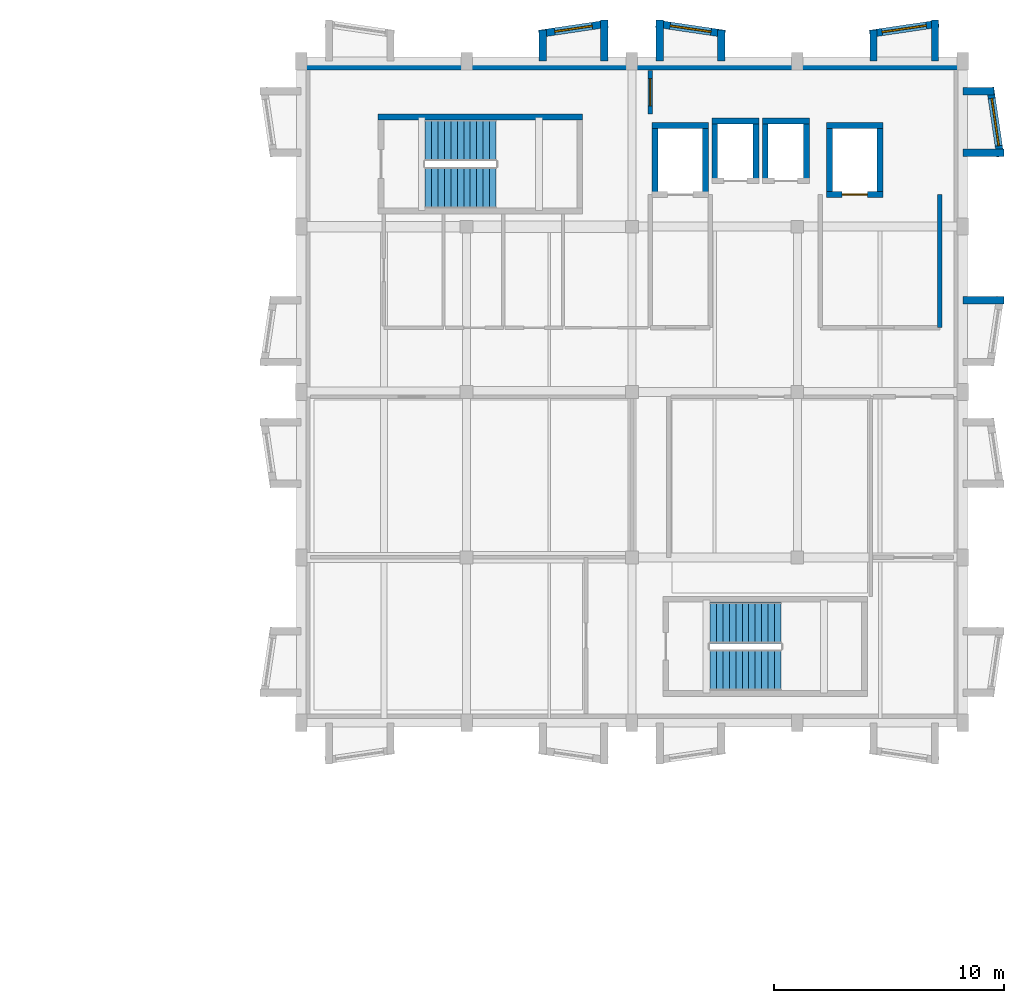
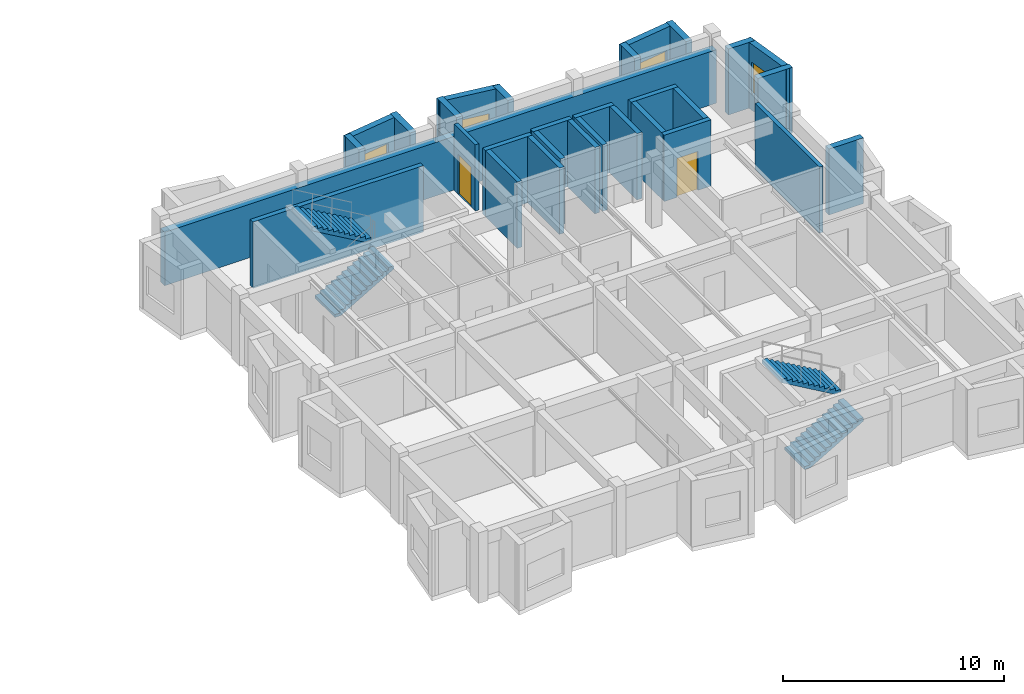
# One storey, part 8 of 12: 30 walls, 4 stair flights, 4 windows, 2 doors, 6 openings, 2 elements without a shape of their own.
"""IFC4 building model written with IfcOpenShell, lengths in metres."""

from ifc_helpers import new_model, si_unit, direction, frame, frame_2d, origin, place, context, subcontext, project, spatial, polyline, rectangle, outline, extrude, material, layer, layer_set, type_object, element, fill, aggregate, save


model = new_model("IFC4")

# Units and contexts
model_context = context("Model", 3, precision=1e-05, world=origin(), true_north=direction((0.0, 1.0)))
body_context = subcontext(model_context, "Body", "Model", "MODEL_VIEW")
ifc_project = project(units=[si_unit("LENGTHUNIT", "METRE"), si_unit("AREAUNIT", "SQUARE_METRE"), si_unit("VOLUMEUNIT", "CUBIC_METRE"), si_unit("PLANEANGLEUNIT", "RADIAN"), si_unit("MASSUNIT", "GRAM", prefix="KILO")], contexts=[model_context])

# Site, building, storey
site_placement = place(None, origin())
site = spatial("IfcSite", under=ifc_project, at=site_placement, CompositionType="ELEMENT")
building_placement = place(site_placement, origin())
building = spatial("IfcBuilding", under=site, at=building_placement, Name="Bramveld Media Centre", CompositionType="ELEMENT")
storey_placement = place(building_placement, frame((0.0, 0.0, 21.89990234375)))
storey = spatial("IfcBuildingStorey", under=building, at=storey_placement, Name="L05", CompositionType="ELEMENT", Elevation=21.89990234375)

# Walls
ifc_material_1 = material(Name="Concrete C40/50 stair & lift core wall", Category="concrete")
ifc_layer_1 = layer(ifc_material_1, 0.25)
ifc_layer_set_1 = layer_set([ifc_layer_1], Name="Concrete C40/50 stair & lift core wall")
wall_type_1 = type_object("IfcWallType", Name="CWALL-SHEAR-250", PredefinedType="SHEAR", material=ifc_layer_set_1)
wall_1_placement = place(storey_placement, frame((143.449951171875, 109.574951171875, 0.0), z_axis=(0.0, 0.0, 1.0), x_axis=(-1.0, 0.0, 0.0)))
element("IfcWall", 1, at=wall_1_placement, inside=storey, type_object=wall_type_1, Name="ST-01 L05 stair core shear wall N", PredefinedType="SHEAR", context=body_context, shape_type="SweptSolid", body=[
    extrude(rectangle(XDim=8.89990234375, YDim=0.25, at=frame_2d((4.449951171875, 0.0))), origin(), (0.0, 0.0, 1.0), 3.66015625),
])
wall_2_placement = place(storey_placement, frame((148.925048828125, 109.199951171875, 0.0), z_axis=(0.0, 0.0, 1.0), x_axis=(-1.0, 0.0, 0.0)))
element("IfcWall", 2, at=wall_2_placement, inside=storey, type_object=wall_type_1, Name="FL-01 L05 lift shaft wall N", PredefinedType="SHEAR", context=body_context, shape_type="SweptSolid", body=[
    extrude(rectangle(XDim=2.449951171875, YDim=0.25, at=frame_2d((1.22509765625, 0.0))), origin(), (0.0, 0.0, 1.0), 3.66015625),
])
for number, where, z_axis, x_axis, name in (
    (3, (146.60009765625, 109.199951171875, 0.0), (0.0, 0.0, 1.0), (0.0, -1.0, 0.0), "FL-01 L05 lift shaft wall W"),
    (4, (148.800048828125, 106.199951171875, 0.0), (0.0, 0.0, 1.0), (0.0, 1.0, 0.0), "FL-01 L05 lift shaft wall E"),
):
    element("IfcWall", number, at=place(storey_placement, frame(where, z_axis=z_axis, x_axis=x_axis)), inside=storey, type_object=wall_type_1, Name=name, PredefinedType="SHEAR", context=body_context, shape_type="SweptSolid", body=[
        extrude(rectangle(XDim=3.0, YDim=0.25, at=frame_2d((1.5, 0.0))), origin(), (0.0, 0.0, 1.0), 3.66015625),
    ])

# Wall, opening, door
wall_3_placement = place(storey_placement, frame((154.074951171875, 106.199951171875, 0.0), z_axis=(0.0, 0.0, 1.0), x_axis=(1.0, 0.0, 0.0)))
wall_3 = element("IfcWall", 5, at=wall_3_placement, inside=storey, type_object=wall_type_1, Name="FL-02 L05 lift shaft wall S", PredefinedType="SHEAR", context=body_context, shape_type="SweptSolid", body=[
    extrude(rectangle(XDim=2.449951171875, YDim=0.25, at=frame_2d((1.22509765625, 0.0))), origin(), (0.0, 0.0, 1.0), 3.66015625),
])
opening_1_placement = place(wall_3_placement, frame((0.675048828125, 0.0, 0.0)))
opening_1 = element("IfcOpeningElement", 6, at=opening_1_placement, cuts=wall_3, Name="Opening LD-01-02-L05", PredefinedType="OPENING", context=body_context, shape_type="SweptSolid", body=[
    extrude(rectangle(XDim=1.10009765625, YDim=2.14990234375, at=frame_2d((0.550048828125, 1.074951171875))), frame((0.0, 0.136962890625, 0.0), z_axis=(0.0, -1.0, 0.0), x_axis=(1.0, 0.0, 0.0)), (0.0, 0.0, 1.0), 0.27392578125),
])
ifc_material_2 = material(Name="Brushed stainless steel automatic fire-rated sliding lift landing door", Category="steel")
door_type_1 = type_object("IfcDoorType", Name="LD-TYPE-01", OperationType="SLIDING_TO_LEFT", PredefinedType="DOOR", material=ifc_material_2)
door_1_placement = place(opening_1_placement, origin())
door_1 = element("IfcDoor", 7, at=door_1_placement, inside=storey, type_object=door_type_1, Name="FL-02 L05 sliding lift landing door", OperationType="SLIDING_TO_LEFT", OverallHeight=2.14990234375, OverallWidth=1.10009765625, PredefinedType="DOOR", context=body_context, shape_type="SweptSolid", body=[
    extrude(rectangle(XDim=1.10009765625, YDim=2.14990234375, at=frame_2d((0.550048828125, 1.074951171875))), frame((0.0, 0.02490234375, 0.0), z_axis=(0.0, -1.0, 0.0), x_axis=(1.0, 0.0, 0.0)), (0.0, 0.0, 1.0), 0.050048828125),
])
fill(opening_1, door_1)

# Walls
wall_4_placement = place(storey_placement, frame((156.52490234375, 109.199951171875, 0.0), z_axis=(0.0, 0.0, 1.0), x_axis=(-1.0, 0.0, 0.0)))
element("IfcWall", 8, at=wall_4_placement, inside=storey, type_object=wall_type_1, Name="FL-02 L05 lift shaft wall N", PredefinedType="SHEAR", context=body_context, shape_type="SweptSolid", body=[
    extrude(rectangle(XDim=2.449951171875, YDim=0.25, at=frame_2d((1.22509765625, 0.0))), origin(), (0.0, 0.0, 1.0), 3.66015625),
])
for number, where, z_axis, x_axis, name in (
    (9, (154.199951171875, 109.199951171875, 0.0), (0.0, 0.0, 1.0), (0.0, -1.0, 0.0), "FL-02 L05 lift shaft wall W"),
    (10, (156.39990234375, 106.199951171875, 0.0), (0.0, 0.0, 1.0), (0.0, 1.0, 0.0), "FL-02 L05 lift shaft wall E"),
):
    element("IfcWall", number, at=place(storey_placement, frame(where, z_axis=z_axis, x_axis=x_axis)), inside=storey, type_object=wall_type_1, Name=name, PredefinedType="SHEAR", context=body_context, shape_type="SweptSolid", body=[
        extrude(rectangle(XDim=3.0, YDim=0.25, at=frame_2d((1.5, 0.0))), origin(), (0.0, 0.0, 1.0), 3.66015625),
    ])
wall_5_placement = place(storey_placement, frame((151.125, 109.39990234375, 0.0), z_axis=(0.0, 0.0, 1.0), x_axis=(-1.0, 0.0, 0.0)))
element("IfcWall", 11, at=wall_5_placement, inside=storey, type_object=wall_type_1, Name="PL-01 L05 lift shaft wall N", PredefinedType="SHEAR", context=body_context, shape_type="SweptSolid", body=[
    extrude(rectangle(XDim=2.050048828125, YDim=0.25, at=frame_2d((1.02490234375, 0.0))), origin(), (0.0, 0.0, 1.0), 3.66015625),
])
for number, where, z_axis, x_axis, name in (
    (12, (149.199951171875, 109.39990234375, 0.0), (0.0, 0.0, 1.0), (0.0, -1.0, 0.0), "PL-01 L05 lift shaft wall W"),
    (13, (151.0, 106.800048828125, 0.0), (0.0, 0.0, 1.0), (0.0, 1.0, 0.0), "PL-01 L05 lift shaft wall E"),
):
    element("IfcWall", number, at=place(storey_placement, frame(where, z_axis=z_axis, x_axis=x_axis)), inside=storey, type_object=wall_type_1, Name=name, PredefinedType="SHEAR", context=body_context, shape_type="SweptSolid", body=[
        extrude(rectangle(XDim=2.599853515625, YDim=0.25, at=frame_2d((1.2998046875, 0.0))), origin(), (0.0, 0.0, 1.0), 3.66015625),
    ])
wall_6_placement = place(storey_placement, frame((153.324951171875, 109.39990234375, 0.0), z_axis=(0.0, 0.0, 1.0), x_axis=(-1.0, 0.0, 0.0)))
element("IfcWall", 14, at=wall_6_placement, inside=storey, type_object=wall_type_1, Name="PL-02 L05 lift shaft wall N", PredefinedType="SHEAR", context=body_context, shape_type="SweptSolid", body=[
    extrude(rectangle(XDim=2.050048828125, YDim=0.25, at=frame_2d((1.02490234375, 0.0))), origin(), (0.0, 0.0, 1.0), 3.66015625),
])
for number, where, z_axis, x_axis, name in (
    (15, (151.39990234375, 109.39990234375, 0.0), (0.0, 0.0, 1.0), (0.0, -1.0, 0.0), "PL-02 L05 lift shaft wall W"),
    (16, (153.199951171875, 106.800048828125, 0.0), (0.0, 0.0, 1.0), (0.0, 1.0, 0.0), "PL-02 L05 lift shaft wall E"),
):
    element("IfcWall", number, at=place(storey_placement, frame(where, z_axis=z_axis, x_axis=x_axis)), inside=storey, type_object=wall_type_1, Name=name, PredefinedType="SHEAR", context=body_context, shape_type="SweptSolid", body=[
        extrude(rectangle(XDim=2.599853515625, YDim=0.25, at=frame_2d((1.2998046875, 0.0))), origin(), (0.0, 0.0, 1.0), 3.66015625),
    ])
ifc_material_3 = material(Name="Flemish red-brown clay facing brick cavity wall with calcium-silicate backing", Category="masonry")
ifc_layer_2 = layer(ifc_material_3, 0.3798828125)
ifc_layer_set_2 = layer_set([ifc_layer_2], Name="Flemish red-brown clay facing brick cavity wall with calcium-silicate backing")
wall_type_2 = type_object("IfcWallType", Name="EW-BRK-380", PredefinedType="SOLIDWALL", material=ifc_layer_set_2)
wall_7_placement = place(storey_placement, frame((131.199951171875, 111.81005859375, 0.0), z_axis=(0.0, 0.0, 1.0), x_axis=(1.0, 0.0, 0.0)))
element("IfcWall", 17, at=wall_7_placement, inside=storey, type_object=wall_type_2, Name="V7 L05 N facing brick exterior wall", PredefinedType="SOLIDWALL", context=body_context, shape_type="SweptSolid", body=[
    extrude(rectangle(XDim=28.800048828125, YDim=0.3798828125, at=frame_2d((14.39990234375, 0.0))), origin(), (0.0, 0.0, 1.0), 2.955078125),
])
ifc_material_4 = material(Name="Precast concrete C40/50 & brick-slip faceted bay cheek wall", Category="masonry")
ifc_layer_3 = layer(ifc_material_4, 0.320068359375)
ifc_layer_set_3 = layer_set([ifc_layer_3], Name="Precast concrete C40/50 & brick-slip faceted bay cheek wall")
wall_type_3 = type_object("IfcWallType", Name="EW-FACET-320", PredefinedType="SOLIDWALL", material=ifc_layer_set_3)
wall_8_placement = place(storey_placement, frame((160.0, 101.590087890625, 0.0), z_axis=(0.0, 0.0, 1.0), x_axis=(1.0, 0.0, 0.0)))
element("IfcWall", 18, at=wall_8_placement, inside=storey, type_object=wall_type_3, Name="V7 L05 E faceted bay cheek wall", PredefinedType="SOLIDWALL", context=body_context, shape_type="SweptSolid", body=[
    extrude(rectangle(XDim=1.79296875, YDim=0.320068359375, at=frame_2d((0.896484375, 0.0))), origin(), (0.0, 0.0, 1.0), 3.64013671875),
])

# Wall, opening, window
wall_9_placement = place(storey_placement, frame((161.633056640625, 107.85009765625, 0.0), z_axis=(0.0, 0.0, 1.0), x_axis=(-0.146119746268, 0.989266910268, 0.0)))
wall_9 = element("IfcWall", 19, at=wall_9_placement, inside=storey, type_object=wall_type_3, Name="V7 L05 E angled faceted bay front wall 4", PredefinedType="SOLIDWALL", context=body_context, shape_type="SweptSolid", body=[
    extrude(rectangle(XDim=3.032470703125, YDim=0.320068359375, at=frame_2d((1.51611328125, 0.0))), origin(), (0.0, 0.0, 1.0), 3.64013671875),
])
opening_2_placement = place(wall_9_placement, frame((0.476318359375, 0.0, 0.89990234375)))
opening_2 = element("IfcOpeningElement", 20, at=opening_2_placement, cuts=wall_9, Name="Opening W-35", PredefinedType="OPENING", context=body_context, shape_type="SweptSolid", body=[
    extrude(rectangle(XDim=2.080078125, YDim=1.75, at=frame_2d((1.0400390625, 0.875))), frame((0.0, 0.171875, 0.0), z_axis=(0.0, -1.0, 0.0), x_axis=(1.0, 0.0, 0.0)), (0.0, 0.0, 1.0), 0.343994140625),
])
ifc_material_5 = material(Name="Thermally broken anodized bronze aluminium frame with triple acoustic glazing", Category="aluminium")
window_type_1 = type_object("IfcWindowType", Name="WIN-FAC-35", PartitioningType="SINGLE_PANEL", PredefinedType="WINDOW", material=ifc_material_5)
window_1_placement = place(opening_2_placement, origin())
window_1 = element("IfcWindow", 21, at=window_1_placement, inside=storey, type_object=window_type_1, Name="V7 L05 E faceted bay window 4", OverallHeight=1.75, OverallWidth=2.080078125, PartitioningType="SINGLE_PANEL", PredefinedType="WINDOW", context=body_context, shape_type="SweptSolid", body=[
    extrude(rectangle(XDim=2.080078125, YDim=1.75, at=frame_2d((1.0400390625, 0.875))), frame((0.0, 0.030029296875, 0.0), z_axis=(0.0, -1.0, 0.0), x_axis=(1.0, 0.0, 0.0)), (0.0, 0.0, 1.0), 0.06005859375),
])
fill(opening_2, window_1)

# Walls
wall_10_placement = place(storey_placement, frame((160.0, 108.010009765625, 0.0), z_axis=(0.0, 0.0, 1.0), x_axis=(1.0, 0.0, 0.0)))
element("IfcWall", 22, at=wall_10_placement, inside=storey, type_object=wall_type_3, Name="V7 L05 E faceted bay cheek wall", PredefinedType="SOLIDWALL", context=body_context, shape_type="SweptSolid", body=[
    extrude(rectangle(XDim=1.79296875, YDim=0.320068359375, at=frame_2d((0.896484375, 0.0))), origin(), (0.0, 0.0, 1.0), 3.64013671875),
])
wall_11_placement = place(storey_placement, frame((160.0, 110.68994140625, 0.0), z_axis=(0.0, 0.0, 1.0), x_axis=(1.0, 0.0, 0.0)))
element("IfcWall", 23, at=wall_11_placement, inside=storey, type_object=wall_type_3, Name="V7 L05 E faceted bay cheek wall", PredefinedType="SOLIDWALL", context=body_context, shape_type="SweptSolid", body=[
    extrude(rectangle(XDim=1.35009765625, YDim=0.320068359375, at=frame_2d((0.675048828125, 0.0))), origin(), (0.0, 0.0, 1.0), 3.64013671875),
])

# Wall, opening, window
wall_12_placement = place(storey_placement, frame((144.550048828125, 113.633056640625, 0.0), z_axis=(0.0, 0.0, 1.0), x_axis=(-0.989266910268, -0.146119746268, 0.0)))
wall_12 = element("IfcWall", 24, at=wall_12_placement, inside=storey, type_object=wall_type_3, Name="V7 L05 N angled faceted bay front wall 2", PredefinedType="SOLIDWALL", context=body_context, shape_type="SweptSolid", body=[
    extrude(rectangle(XDim=3.032470703125, YDim=0.320068359375, at=frame_2d((1.51611328125, 0.0))), origin(), (0.0, 0.0, 1.0), 3.64013671875),
])
opening_3_placement = place(wall_12_placement, frame((0.69140625, 0.0, 0.89990234375)))
opening_3 = element("IfcOpeningElement", 25, at=opening_3_placement, cuts=wall_12, Name="Opening W-25", PredefinedType="OPENING", context=body_context, shape_type="SweptSolid", body=[
    extrude(rectangle(XDim=1.64990234375, YDim=1.449951171875, at=frame_2d((0.824951171875, 0.72509765625))), frame((0.0, 0.171875, 0.0), z_axis=(0.0, -1.0, 0.0), x_axis=(1.0, 0.0, 0.0)), (0.0, 0.0, 1.0), 0.343994140625),
])
ifc_material_6 = material(Name="Thermally broken anodized bronze aluminium frame with triple acoustic glazing", Category="aluminium")
window_type_2 = type_object("IfcWindowType", Name="WIN-FAC-25", PartitioningType="SINGLE_PANEL", PredefinedType="WINDOW", material=ifc_material_6)
window_2_placement = place(opening_3_placement, origin())
window_2 = element("IfcWindow", 26, at=window_2_placement, inside=storey, type_object=window_type_2, Name="V7 L05 N faceted bay window 2", OverallHeight=1.449951171875, OverallWidth=1.64990234375, PartitioningType="SINGLE_PANEL", PredefinedType="WINDOW", context=body_context, shape_type="SweptSolid", body=[
    extrude(rectangle(XDim=1.64990234375, YDim=1.449951171875, at=frame_2d((0.824951171875, 0.72509765625))), frame((0.0, 0.030029296875, 0.0), z_axis=(0.0, -1.0, 0.0), x_axis=(1.0, 0.0, 0.0)), (0.0, 0.0, 1.0), 0.06005859375),
])
fill(opening_3, window_2)

# Walls
wall_13_placement = place(storey_placement, frame((141.7099609375, 112.0, 0.0), z_axis=(0.0, 0.0, 1.0), x_axis=(0.0, 1.0, 0.0)))
element("IfcWall", 27, at=wall_13_placement, inside=storey, type_object=wall_type_3, Name="V7 L05 N faceted bay cheek wall", PredefinedType="SOLIDWALL", context=body_context, shape_type="SweptSolid", body=[
    extrude(rectangle(XDim=1.35009765625, YDim=0.320068359375, at=frame_2d((0.675048828125, 0.0))), origin(), (0.0, 0.0, 1.0), 3.64013671875),
])
wall_14_placement = place(storey_placement, frame((144.389892578125, 112.0, 0.0), z_axis=(0.0, 0.0, 1.0), x_axis=(0.0, 1.0, 0.0)))
element("IfcWall", 28, at=wall_14_placement, inside=storey, type_object=wall_type_3, Name="V7 L05 N faceted bay cheek wall", PredefinedType="SOLIDWALL", context=body_context, shape_type="SweptSolid", body=[
    extrude(rectangle(XDim=1.79296875, YDim=0.320068359375, at=frame_2d((0.896484375, 0.0))), origin(), (0.0, 0.0, 1.0), 3.64013671875),
])

# Wall, opening, window
wall_15_placement = place(storey_placement, frame((149.64990234375, 113.18994140625, 0.0), z_axis=(0.0, 0.0, 1.0), x_axis=(-0.989266910268, 0.146119746268, 0.0)))
wall_15 = element("IfcWall", 29, at=wall_15_placement, inside=storey, type_object=wall_type_3, Name="V7 L05 N angled faceted bay front wall 3", PredefinedType="SOLIDWALL", context=body_context, shape_type="SweptSolid", body=[
    extrude(rectangle(XDim=3.032470703125, YDim=0.320068359375, at=frame_2d((1.51611328125, 0.0))), origin(), (0.0, 0.0, 1.0), 3.64013671875),
])
opening_4_placement = place(wall_15_placement, frame((0.6162109375, 0.0, 0.89990234375)))
opening_4 = element("IfcOpeningElement", 30, at=opening_4_placement, cuts=wall_15, Name="Opening W-26", PredefinedType="OPENING", context=body_context, shape_type="SweptSolid", body=[
    extrude(rectangle(XDim=1.800048828125, YDim=1.449951171875, at=frame_2d((0.89990234375, 0.72509765625))), frame((0.0, 0.171875, 0.0), z_axis=(0.0, -1.0, 0.0), x_axis=(1.0, 0.0, 0.0)), (0.0, 0.0, 1.0), 0.343994140625),
])
ifc_material_7 = material(Name="Thermally broken anodized bronze aluminium frame with triple acoustic glazing", Category="aluminium")
window_type_3 = type_object("IfcWindowType", Name="WIN-FAC-26", PartitioningType="SINGLE_PANEL", PredefinedType="WINDOW", material=ifc_material_7)
window_3_placement = place(opening_4_placement, origin())
window_3 = element("IfcWindow", 31, at=window_3_placement, inside=storey, type_object=window_type_3, Name="V7 L05 N faceted bay window 3", OverallHeight=1.449951171875, OverallWidth=1.800048828125, PartitioningType="SINGLE_PANEL", PredefinedType="WINDOW", context=body_context, shape_type="SweptSolid", body=[
    extrude(rectangle(XDim=1.800048828125, YDim=1.449951171875, at=frame_2d((0.89990234375, 0.72509765625))), frame((0.0, 0.030029296875, 0.0), z_axis=(0.0, -1.0, 0.0), x_axis=(1.0, 0.0, 0.0)), (0.0, 0.0, 1.0), 0.06005859375),
])
fill(opening_4, window_3)

# Walls
wall_16_placement = place(storey_placement, frame((146.81005859375, 112.0, 0.0), z_axis=(0.0, 0.0, 1.0), x_axis=(0.0, 1.0, 0.0)))
element("IfcWall", 32, at=wall_16_placement, inside=storey, type_object=wall_type_3, Name="V7 L05 N faceted bay cheek wall", PredefinedType="SOLIDWALL", context=body_context, shape_type="SweptSolid", body=[
    extrude(rectangle(XDim=1.79296875, YDim=0.320068359375, at=frame_2d((0.896484375, 0.0))), origin(), (0.0, 0.0, 1.0), 3.64013671875),
])
wall_17_placement = place(storey_placement, frame((149.489990234375, 112.0, 0.0), z_axis=(0.0, 0.0, 1.0), x_axis=(0.0, 1.0, 0.0)))
element("IfcWall", 33, at=wall_17_placement, inside=storey, type_object=wall_type_3, Name="V7 L05 N faceted bay cheek wall", PredefinedType="SOLIDWALL", context=body_context, shape_type="SweptSolid", body=[
    extrude(rectangle(XDim=1.35009765625, YDim=0.320068359375, at=frame_2d((0.675048828125, 0.0))), origin(), (0.0, 0.0, 1.0), 3.64013671875),
])

# Wall, opening, window
wall_18_placement = place(storey_placement, frame((158.949951171875, 113.633056640625, 0.0), z_axis=(0.0, 0.0, 1.0), x_axis=(-0.989266910268, -0.146119746268, 0.0)))
wall_18 = element("IfcWall", 34, at=wall_18_placement, inside=storey, type_object=wall_type_3, Name="V7 L05 N angled faceted bay front wall 4", PredefinedType="SOLIDWALL", context=body_context, shape_type="SweptSolid", body=[
    extrude(rectangle(XDim=3.032470703125, YDim=0.320068359375, at=frame_2d((1.51611328125, 0.0))), origin(), (0.0, 0.0, 1.0), 3.64013671875),
])
opening_5_placement = place(wall_18_placement, frame((0.541259765625, 0.0, 0.89990234375)))
opening_5 = element("IfcOpeningElement", 35, at=opening_5_placement, cuts=wall_18, Name="Opening W-27", PredefinedType="OPENING", context=body_context, shape_type="SweptSolid", body=[
    extrude(rectangle(XDim=1.949951171875, YDim=1.449951171875, at=frame_2d((0.97509765625, 0.72509765625))), frame((0.0, 0.171875, 0.0), z_axis=(0.0, -1.0, 0.0), x_axis=(1.0, 0.0, 0.0)), (0.0, 0.0, 1.0), 0.343994140625),
])
ifc_material_8 = material(Name="Thermally broken anodized bronze aluminium frame with triple acoustic glazing", Category="aluminium")
window_type_4 = type_object("IfcWindowType", Name="WIN-FAC-27", PartitioningType="SINGLE_PANEL", PredefinedType="WINDOW", material=ifc_material_8)
window_4_placement = place(opening_5_placement, origin())
window_4 = element("IfcWindow", 36, at=window_4_placement, inside=storey, type_object=window_type_4, Name="V7 L05 N faceted bay window 4", OverallHeight=1.449951171875, OverallWidth=1.949951171875, PartitioningType="SINGLE_PANEL", PredefinedType="WINDOW", context=body_context, shape_type="SweptSolid", body=[
    extrude(rectangle(XDim=1.949951171875, YDim=1.449951171875, at=frame_2d((0.97509765625, 0.72509765625))), frame((0.0, 0.030029296875, 0.0), z_axis=(0.0, -1.0, 0.0), x_axis=(1.0, 0.0, 0.0)), (0.0, 0.0, 1.0), 0.06005859375),
])
fill(opening_5, window_4)

# Walls
wall_19_placement = place(storey_placement, frame((156.110107421875, 112.0, 0.0), z_axis=(0.0, 0.0, 1.0), x_axis=(0.0, 1.0, 0.0)))
element("IfcWall", 37, at=wall_19_placement, inside=storey, type_object=wall_type_3, Name="V7 L05 N faceted bay cheek wall", PredefinedType="SOLIDWALL", context=body_context, shape_type="SweptSolid", body=[
    extrude(rectangle(XDim=1.35009765625, YDim=0.320068359375, at=frame_2d((0.675048828125, 0.0))), origin(), (0.0, 0.0, 1.0), 3.64013671875),
])
wall_20_placement = place(storey_placement, frame((158.7900390625, 112.0, 0.0), z_axis=(0.0, 0.0, 1.0), x_axis=(0.0, 1.0, 0.0)))
element("IfcWall", 38, at=wall_20_placement, inside=storey, type_object=wall_type_3, Name="V7 L05 N faceted bay cheek wall", PredefinedType="SOLIDWALL", context=body_context, shape_type="SweptSolid", body=[
    extrude(rectangle(XDim=1.79296875, YDim=0.320068359375, at=frame_2d((0.896484375, 0.0))), origin(), (0.0, 0.0, 1.0), 3.64013671875),
])
ifc_material_9 = material(Name="Acoustic calcium-silicate & mineral-wool compartment partition", Category="masonry")
ifc_layer_4 = layer(ifc_material_9, 0.199951171875)
ifc_layer_set_4 = layer_set([ifc_layer_4], Name="Acoustic calcium-silicate & mineral-wool compartment partition")
wall_type_4 = type_object("IfcWallType", Name="IW-ACOU-200", PredefinedType="PARTITIONING", material=ifc_layer_set_4)
wall_21_placement = place(storey_placement, frame((159.0, 100.39990234375, 0.0), z_axis=(0.0, 0.0, 1.0), x_axis=(0.0, 1.0, 0.0)))
element("IfcWall", 39, at=wall_21_placement, inside=storey, type_object=wall_type_4, Name="FL-02 L05 EI 120 firefighting lift lobby wall E", PredefinedType="PARTITIONING", context=body_context, shape_type="SweptSolid", body=[
    extrude(rectangle(XDim=5.800048828125, YDim=0.199951171875, at=frame_2d((2.89990234375, 0.0))), origin(), (0.0, 0.0, 1.0), 3.66015625),
])

# Wall, opening, door
wall_22_placement = place(storey_placement, frame((146.39990234375, 109.699951171875, 0.0), z_axis=(0.0, 0.0, 1.0), x_axis=(0.0, 1.0, 0.0)))
wall_22 = element("IfcWall", 40, at=wall_22_placement, inside=storey, type_object=wall_type_4, Name="North Park Documentary Editing Suite partition wall", PredefinedType="PARTITIONING", context=body_context, shape_type="SweptSolid", body=[
    extrude(rectangle(XDim=1.900146484375, YDim=0.199951171875, at=frame_2d((0.9501953125, 0.0))), origin(), (0.0, 0.0, 1.0), 3.66015625),
])
opening_6_placement = place(wall_22_placement, frame((0.360107421875, 0.0, 0.0)))
opening_6 = element("IfcOpeningElement", 41, at=opening_6_placement, cuts=wall_22, Name="Opening D-05-205", PredefinedType="OPENING", context=body_context, shape_type="SweptSolid", body=[
    extrude(rectangle(XDim=1.179931640625, YDim=2.199951171875, at=frame_2d((0.58984375, 1.10009765625))), frame((0.0, 0.11181640625, 0.0), z_axis=(0.0, -1.0, 0.0), x_axis=(1.0, 0.0, 0.0)), (0.0, 0.0, 1.0), 0.223876953125),
])
ifc_material_10 = material(Name="Fire-rated acoustic timber & steel composite door", Category="steel")
door_type_2 = type_object("IfcDoorType", Name="DR-STU-1180", OperationType="NOTDEFINED", PredefinedType="DOOR", material=ifc_material_10)
door_2_placement = place(opening_6_placement, origin())
door_2 = element("IfcDoor", 42, at=door_2_placement, inside=storey, type_object=door_type_2, Name="North Park Documentary Editing Suite entrance door", OperationType="SINGLE_SWING_LEFT", OverallHeight=2.199951171875, OverallWidth=1.179931640625, PredefinedType="DOOR", context=body_context, shape_type="SweptSolid", body=[
    extrude(rectangle(XDim=1.179931640625, YDim=2.199951171875, at=frame_2d((0.58984375, 1.10009765625))), frame((0.0, 0.02490234375, 0.0), z_axis=(0.0, -1.0, 0.0), x_axis=(1.0, 0.0, 0.0)), (0.0, 0.0, 1.0), 0.050048828125),
])
fill(opening_6, door_2)

# Stair, stair flights
ifc_material_11 = material(Name="Concrete C40/50", Category="concrete")
stair_type_1 = type_object("IfcStairType", Name="STAIR-ST-01-24R-1800", PredefinedType="HALF_TURN_STAIR", material=ifc_material_11)
stair_1_placement = place(storey_placement, origin())
stair_1 = element("IfcStair", 43, at=stair_1_placement, inside=storey, type_object=stair_type_1, Name="L05 Core A1 Pressurized Firefighting Stair", PredefinedType="HALF_TURN_STAIR")
ifc_material_12 = material(Name="Concrete C40/50", Category="concrete")
stair_flight_type_1 = type_object("IfcStairFlightType", Name="FLIGHT-ST-01-12R-1625", PredefinedType="STRAIGHT", material=ifc_material_12)
stair_flight_1_placement = place(storey_placement, frame((136.60009765625, 106.5, 0.0), z_axis=(0.0, 0.0, 1.0), x_axis=(1.0, 0.0, 0.0)))
stair_flight_1 = element("IfcStairFlight", 44, at=stair_flight_1_placement, type_object=stair_flight_type_1, Name="ST-01 flight 1", NumberOfRisers=12, NumberOfTreads=11, PredefinedType="STRAIGHT", RiserHeight=0.1625, TreadLength=0.28, context=body_context, shape_type="SweptSolid", body=[
    extrude(outline(polyline([(0.0, 0.0), (0.0, 0.16259765625), (0.280029296875, 0.16259765625), (0.280029296875, 0.324951171875), (0.56005859375, 0.324951171875), (0.56005859375, 0.487548828125), (0.840087890625, 0.487548828125), (0.840087890625, 0.64990234375), (1.1201171875, 0.64990234375), (1.1201171875, 0.8125), (1.39990234375, 0.8125), (1.39990234375, 0.97509765625), (1.679931640625, 0.97509765625), (1.679931640625, 1.137451171875), (1.9599609375, 1.137451171875), (1.9599609375, 1.300048828125), (2.239990234375, 1.300048828125), (2.239990234375, 1.46240234375), (2.52001953125, 1.46240234375), (2.52001953125, 1.625), (2.800048828125, 1.625), (2.800048828125, 1.78759765625), (3.080078125, 1.78759765625), (3.080078125, 1.949951171875), (3.080078125, 1.6025390625), (0.318603515625, 0.0), (0.0, 0.0)])), frame((0.0, 0.89990234375, 0.0), z_axis=(0.0, -1.0, 0.0), x_axis=(1.0, 0.0, 0.0)), (0.0, 0.0, 1.0), 1.800048828125),
])
stair_flight_2_placement = place(storey_placement, frame((139.679931640625, 108.550048828125, 1.9501953125), z_axis=(0.0, 0.0, 1.0), x_axis=(-1.0, 0.0, 0.0)))
stair_flight_2 = element("IfcStairFlight", 45, at=stair_flight_2_placement, type_object=stair_flight_type_1, Name="ST-01 flight 2", NumberOfRisers=12, NumberOfTreads=11, PredefinedType="STRAIGHT", RiserHeight=0.1625, TreadLength=0.28, context=body_context, shape_type="SweptSolid", body=[
    extrude(outline(polyline([(0.0, 0.0), (0.0, 0.16259765625), (0.280029296875, 0.16259765625), (0.280029296875, 0.324951171875), (0.56005859375, 0.324951171875), (0.56005859375, 0.487548828125), (0.840087890625, 0.487548828125), (0.840087890625, 0.64990234375), (1.1201171875, 0.64990234375), (1.1201171875, 0.8125), (1.39990234375, 0.8125), (1.39990234375, 0.97509765625), (1.679931640625, 0.97509765625), (1.679931640625, 1.137451171875), (1.9599609375, 1.137451171875), (1.9599609375, 1.300048828125), (2.239990234375, 1.300048828125), (2.239990234375, 1.46240234375), (2.52001953125, 1.46240234375), (2.52001953125, 1.625), (2.800048828125, 1.625), (2.800048828125, 1.78759765625), (3.080078125, 1.78759765625), (3.080078125, 1.949951171875), (3.080078125, 1.6025390625), (0.318603515625, 0.0), (0.0, 0.0)])), frame((0.0, 0.89990234375, 0.0), z_axis=(0.0, -1.0, 0.0), x_axis=(1.0, 0.0, 0.0)), (0.0, 0.0, 1.0), 1.800048828125),
])
aggregate(stair_1, [stair_flight_1, stair_flight_2])

ifc_material_13 = material(Name="Concrete C40/50", Category="concrete")
stair_type_2 = type_object("IfcStairType", Name="STAIR-ST-02-24R-1800", PredefinedType="HALF_TURN_STAIR", material=ifc_material_13)
stair_2_placement = place(storey_placement, origin())
stair_2 = element("IfcStair", 46, at=stair_2_placement, inside=storey, type_object=stair_type_2, Name="L05 Core A2 Pressurized Escape Stair", PredefinedType="HALF_TURN_STAIR")
ifc_material_14 = material(Name="Concrete C40/50", Category="concrete")
stair_flight_type_2 = type_object("IfcStairFlightType", Name="FLIGHT-ST-02-12R-1625", PredefinedType="STRAIGHT", material=ifc_material_14)
stair_flight_3_placement = place(storey_placement, frame((149.0, 85.5, 0.0), z_axis=(0.0, 0.0, 1.0), x_axis=(1.0, 0.0, 0.0)))
stair_flight_3 = element("IfcStairFlight", 47, at=stair_flight_3_placement, type_object=stair_flight_type_2, Name="ST-02 flight 1", NumberOfRisers=12, NumberOfTreads=11, PredefinedType="STRAIGHT", RiserHeight=0.1625, TreadLength=0.28, context=body_context, shape_type="SweptSolid", body=[
    extrude(outline(polyline([(0.0, 0.0), (0.0, 0.16259765625), (0.280029296875, 0.16259765625), (0.280029296875, 0.324951171875), (0.56005859375, 0.324951171875), (0.56005859375, 0.487548828125), (0.840087890625, 0.487548828125), (0.840087890625, 0.64990234375), (1.1201171875, 0.64990234375), (1.1201171875, 0.8125), (1.39990234375, 0.8125), (1.39990234375, 0.97509765625), (1.679931640625, 0.97509765625), (1.679931640625, 1.137451171875), (1.9599609375, 1.137451171875), (1.9599609375, 1.300048828125), (2.239990234375, 1.300048828125), (2.239990234375, 1.46240234375), (2.52001953125, 1.46240234375), (2.52001953125, 1.625), (2.800048828125, 1.625), (2.800048828125, 1.78759765625), (3.080078125, 1.78759765625), (3.080078125, 1.949951171875), (3.080078125, 1.6025390625), (0.318603515625, 0.0), (0.0, 0.0)])), frame((0.0, 0.89990234375, 0.0), z_axis=(0.0, -1.0, 0.0), x_axis=(1.0, 0.0, 0.0)), (0.0, 0.0, 1.0), 1.800048828125),
])
stair_flight_4_placement = place(storey_placement, frame((152.080078125, 87.550048828125, 1.9501953125), z_axis=(0.0, 0.0, 1.0), x_axis=(-1.0, 0.0, 0.0)))
stair_flight_4 = element("IfcStairFlight", 48, at=stair_flight_4_placement, type_object=stair_flight_type_2, Name="ST-02 flight 2", NumberOfRisers=12, NumberOfTreads=11, PredefinedType="STRAIGHT", RiserHeight=0.1625, TreadLength=0.28, context=body_context, shape_type="SweptSolid", body=[
    extrude(outline(polyline([(0.0, 0.0), (0.0, 0.16259765625), (0.280029296875, 0.16259765625), (0.280029296875, 0.324951171875), (0.56005859375, 0.324951171875), (0.56005859375, 0.487548828125), (0.840087890625, 0.487548828125), (0.840087890625, 0.64990234375), (1.1201171875, 0.64990234375), (1.1201171875, 0.8125), (1.39990234375, 0.8125), (1.39990234375, 0.97509765625), (1.679931640625, 0.97509765625), (1.679931640625, 1.137451171875), (1.9599609375, 1.137451171875), (1.9599609375, 1.300048828125), (2.239990234375, 1.300048828125), (2.239990234375, 1.46240234375), (2.52001953125, 1.46240234375), (2.52001953125, 1.625), (2.800048828125, 1.625), (2.800048828125, 1.78759765625), (3.080078125, 1.78759765625), (3.080078125, 1.949951171875), (3.080078125, 1.6025390625), (0.318603515625, 0.0), (0.0, 0.0)])), frame((0.0, 0.89990234375, 0.0), z_axis=(0.0, -1.0, 0.0), x_axis=(1.0, 0.0, 0.0)), (0.0, 0.0, 1.0), 1.800048828125),
])
aggregate(stair_2, [stair_flight_3, stair_flight_4])

save(model, "model.ifc")
